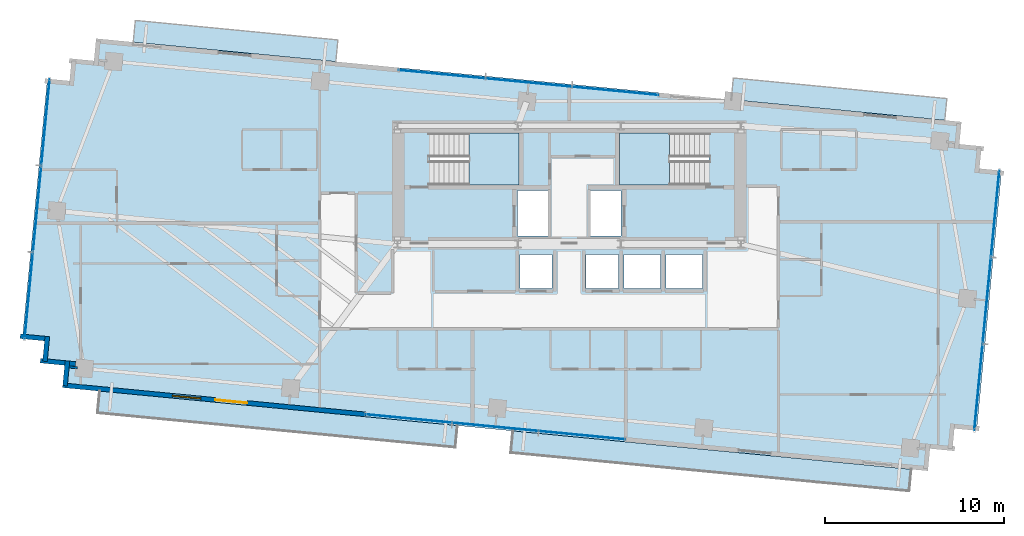
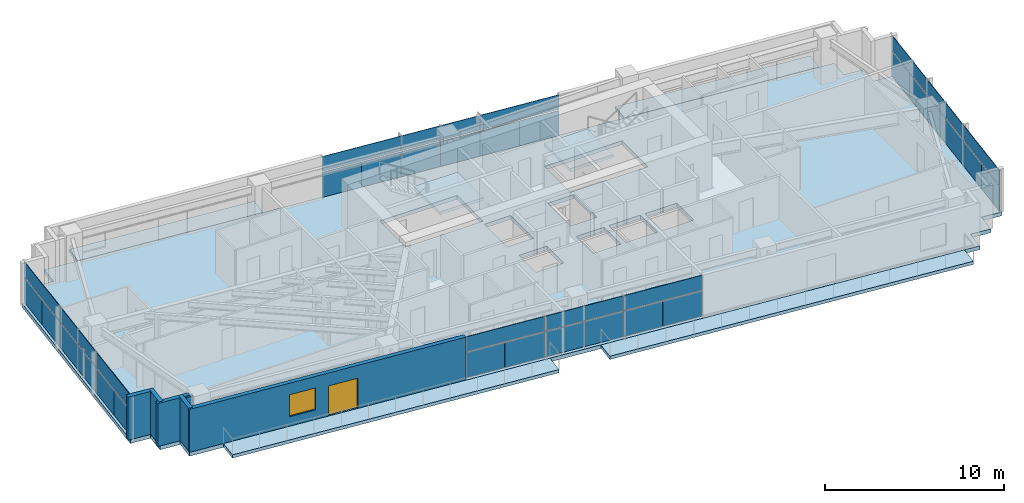
# One storey, part 14 of 20: 36 plates, 7 slabs, 6 walls, 1 door, 1 window, 2 openings, 6 elements without a shape of their own.
"""IFC4 building model written with IfcOpenShell, lengths in metres."""

from ifc_helpers import new_model, si_unit, direction, frame, frame_2d, origin, origin_2d, place, context, subcontext, project, spatial, polyline, rectangle, outline, extrude, source, transform, mapped, material, layer, layer_set, type_object, type_shapes, element, fill, aggregate, save


model = new_model("IFC4")

# Units and contexts
model_context = context("Model", 3, precision=1e-05, world=origin(), true_north=direction((0.0, 1.0)))
body_context = subcontext(model_context, "Body", "Model", "MODEL_VIEW")
ifc_project = project(units=[si_unit("LENGTHUNIT", "METRE"), si_unit("AREAUNIT", "SQUARE_METRE"), si_unit("VOLUMEUNIT", "CUBIC_METRE"), si_unit("PLANEANGLEUNIT", "RADIAN"), si_unit("MASSUNIT", "GRAM", prefix="KILO")], contexts=[model_context])

# Site, building, storey
site_placement = place(None, origin())
site = spatial("IfcSite", under=ifc_project, at=site_placement, CompositionType="ELEMENT")
building_placement = place(site_placement, origin())
building = spatial("IfcBuilding", under=site, at=building_placement, Name="Astriad Promenade Condominiums", CompositionType="ELEMENT")
storey_placement = place(building_placement, frame((0.0, 0.0, 156.60009765625)))
storey = spatial("IfcBuildingStorey", under=building, at=storey_placement, Name="L45", CompositionType="ELEMENT", Elevation=156.60009765625)

# Slab
ifc_material_1 = material(Name="Concrete C50/60", Category="concrete")
ifc_layer_1 = layer(ifc_material_1, 0.260009765625)
ifc_layer_set_1 = layer_set([ifc_layer_1], Name="Concrete C50/60")
slab_type_1 = type_object("IfcSlabType", Name="CONCRETE TOWER FLOOR SLAB 260", PredefinedType="FLOOR", material=ifc_layer_set_1)
slab_1_placement = place(storey_placement, frame((0.0, 0.0, -0.260009765625)))
element("IfcSlab", 1, at=slab_1_placement, inside=storey, type_object=slab_type_1, Name="Structural Floor Slab (L45)", PredefinedType="FLOOR", context=body_context, shape_type="SweptSolid", body=[
    extrude(outline(polyline([(7.672607421875, 9.374267578125), (56.048828125, 4.716064453125), (56.168701171875, 5.960205078125), (57.412841796875, 5.840576171875), (57.53271484375, 7.084716796875), (58.77685546875, 6.96484375), (60.17626953125, 21.497802734375), (58.931884765625, 21.617431640625), (59.052001953125, 22.86181640625), (57.8076171875, 22.981689453125), (57.927490234375, 24.225830078125), (9.55126953125, 28.8837890625), (9.431396484375, 27.6396484375), (8.18701171875, 27.759521484375), (8.0673828125, 26.515380859375), (6.822998046875, 26.635009765625), (5.423583984375, 12.102294921875), (6.66796875, 11.982421875), (6.548095703125, 10.73828125), (7.79248046875, 10.618408203125), (7.672607421875, 9.374267578125)]), holes=[polyline([(28.175048828125, 20.699951171875), (33.175048828125, 20.699951171875), (33.175048828125, 23.60009765625), (28.175048828125, 23.60009765625), (28.175048828125, 20.699951171875)]), polyline([(38.824951171875, 20.699951171875), (43.824951171875, 20.699951171875), (43.824951171875, 23.60009765625), (38.824951171875, 23.60009765625), (38.824951171875, 20.699951171875)]), polyline([(33.10009765625, 17.85009765625), (34.800048828125, 17.85009765625), (34.800048828125, 20.39990234375), (33.10009765625, 20.39990234375), (33.10009765625, 17.85009765625)]), polyline([(37.199951171875, 17.85009765625), (38.89990234375, 17.85009765625), (38.89990234375, 20.39990234375), (37.199951171875, 20.39990234375), (37.199951171875, 17.85009765625)]), polyline([(33.25, 14.89990234375), (35.050048828125, 14.89990234375), (35.050048828125, 16.800048828125), (33.25, 16.800048828125), (33.25, 14.89990234375)]), polyline([(36.949951171875, 14.89990234375), (38.75, 14.89990234375), (38.75, 16.800048828125), (36.949951171875, 16.800048828125), (36.949951171875, 14.89990234375)]), polyline([(39.050048828125, 14.89990234375), (41.10009765625, 14.89990234375), (41.10009765625, 16.800048828125), (39.050048828125, 16.800048828125), (39.050048828125, 14.89990234375)]), polyline([(41.39990234375, 14.89990234375), (43.449951171875, 14.89990234375), (43.449951171875, 16.800048828125), (41.39990234375, 16.800048828125), (41.39990234375, 14.89990234375)])]), origin(), (0.0, 0.0, 1.0), 0.260009765625),
])

# Stair, slab
stair_type = type_object("IfcStairType", Name="STR-CORE-1350", PredefinedType="HALF_TURN_STAIR", material=ifc_material_1)
stair_1_placement = place(storey_placement, origin())
stair_1 = element("IfcStair", 2, at=stair_1_placement, inside=storey, type_object=stair_type, Name="L45 Enclosed Core Exit Stair ST-1", PredefinedType="HALF_TURN_STAIR")
ifc_layer_2 = layer(ifc_material_1, 0.219970703125)
ifc_layer_set_2 = layer_set([ifc_layer_2], Name="Concrete C50/60")
slab_type_2 = type_object("IfcSlabType", Name="SLB-LANDING-220", PredefinedType="LANDING", material=ifc_layer_set_2)
slab_2_placement = place(storey_placement, frame((0.0, 0.0, 1.39990234375)))
slab_2 = element("IfcSlab", 3, at=slab_2_placement, type_object=slab_type_2, Name="ST-1 landing 1", PredefinedType="LANDING", context=body_context, shape_type="SweptSolid", body=[
    extrude(outline(polyline([(30.389892578125, 20.699951171875), (33.199951171875, 20.699951171875), (33.199951171875, 23.60009765625), (30.389892578125, 23.60009765625), (30.389892578125, 20.699951171875)])), origin(), (0.0, 0.0, 1.0), 0.199951171875),
])
aggregate(stair_1, [slab_2])

stair_2_placement = place(storey_placement, origin())
stair_2 = element("IfcStair", 4, at=stair_2_placement, inside=storey, type_object=stair_type, Name="L45 Enclosed Core Exit Stair ST-2", PredefinedType="HALF_TURN_STAIR")
slab_3_placement = place(storey_placement, frame((0.0, 0.0, 1.39990234375)))
slab_3 = element("IfcSlab", 5, at=slab_3_placement, type_object=slab_type_2, Name="ST-2 landing 1", PredefinedType="LANDING", context=body_context, shape_type="SweptSolid", body=[
    extrude(outline(polyline([(41.610107421875, 23.60009765625), (38.800048828125, 23.60009765625), (38.800048828125, 20.699951171875), (41.610107421875, 20.699951171875), (41.610107421875, 23.60009765625)])), origin(), (0.0, 0.0, 1.0), 0.199951171875),
])
aggregate(stair_2, [slab_3])

# Slabs
ifc_material_2 = material(Name="Precast concrete C50/60", Category="concrete")
ifc_layer_3 = layer(ifc_material_2, 0.219970703125)
ifc_layer_set_3 = layer_set([ifc_layer_3], Name="Precast concrete C50/60")
slab_type_3 = type_object("IfcSlabType", Name="WHITE PRECAST CONCRETE WAVE BALCONY SLAB 220", PredefinedType="FLOOR", material=ifc_layer_set_3)
slab_4_placement = place(storey_placement, frame((0.0, 0.0, -0.22021484375)))
element("IfcSlab", 6, at=slab_4_placement, inside=storey, type_object=slab_type_3, Name="White Precast Wave Balcony Slab BAL-L45-SW", PredefinedType="FLOOR", context=body_context, shape_type="SweptSolid", body=[
    extrude(outline(polyline([(9.629150390625, 7.960205078125), (29.62548828125, 6.03466796875), (29.742431640625, 7.2490234375), (9.74609375, 9.174560546875), (9.629150390625, 7.960205078125)])), origin(), (0.0, 0.0, 1.0), 0.22021484375),
])
slab_5_placement = place(storey_placement, frame((0.0, 0.0, -0.22021484375)))
element("IfcSlab", 7, at=slab_5_placement, inside=storey, type_object=slab_type_3, Name="White Precast Wave Balcony Slab BAL-L45-SE", PredefinedType="FLOOR", context=body_context, shape_type="SweptSolid", body=[
    extrude(outline(polyline([(54.997314453125, 3.591796875), (32.733154296875, 5.735595703125), (32.849853515625, 6.947998046875), (55.114013671875, 4.80419921875), (54.997314453125, 3.591796875)])), origin(), (0.0, 0.0, 1.0), 0.22021484375),
])
slab_6_placement = place(storey_placement, frame((0.0, 0.0, -0.22021484375)))
element("IfcSlab", 8, at=slab_6_placement, inside=storey, type_object=slab_type_3, Name="White Precast Wave Balcony Slab BAL-L45-NW", PredefinedType="FLOOR", context=body_context, shape_type="SweptSolid", body=[
    extrude(outline(polyline([(11.62451171875, 28.684326171875), (22.94921875, 27.593994140625), (23.066162109375, 28.80810546875), (11.741455078125, 29.898681640625), (11.62451171875, 28.684326171875)])), origin(), (0.0, 0.0, 1.0), 0.22021484375),
])
slab_7_placement = place(storey_placement, frame((0.0, 0.0, -0.22021484375)))
element("IfcSlab", 9, at=slab_7_placement, inside=storey, type_object=slab_type_3, Name="White Precast Wave Balcony Slab BAL-L45-NE", PredefinedType="FLOOR", context=body_context, shape_type="SweptSolid", body=[
    extrude(outline(polyline([(45.173828125, 26.679443359375), (57.109619140625, 25.5302734375), (56.992919921875, 24.31787109375), (45.05712890625, 25.467041015625), (45.173828125, 26.679443359375)])), origin(), (0.0, 0.0, 1.0), 0.22021484375),
])

# Curtain wall, plates
ifc_material_3 = material(Name="Anodised aluminium Black Dark Glass Unitised", Category="aluminium")
curtain_wall_type = type_object("IfcCurtainWallType", Name="CW-B34-DARK", PredefinedType="USERDEFINED", material=ifc_material_3)
curtain_wall_1_placement = place(storey_placement, origin())
curtain_wall_1 = element("IfcCurtainWall", 10, at=curtain_wall_1_placement, inside=storey, type_object=curtain_wall_type, Name="CW-L45-W", ObjectType="UNITISED_CURTAIN_WALL", PredefinedType="USERDEFINED")
ifc_material_4 = material(Name="Dark Tinted Low-E Laminated Glass", Category="glass")
ifc_layer_4 = layer(ifc_material_4, 0.035888671875)
ifc_layer_set_4 = layer_set([ifc_layer_4], Name="Dark Tinted Low-E Laminated Glass")
plate_type = type_object("IfcPlateType", Name="PNL-DARK-GLASS-36", PredefinedType="CURTAIN_PANEL", material=ifc_layer_set_4)
shared_shape_1 = source(origin(), body_context, "Body", "SweptSolid", [
    extrude(rectangle(XDim=2.42138671875, YDim=0.035888671875, at=origin_2d()), origin(), (0.0, 0.0, 1.0), 1.702880859375),
])
plate_1_placement = place(storey_placement, frame((5.669677734375, 13.30078125, 0.080078125), z_axis=(0.0, 0.0, 1.0), x_axis=(0.09584575252, 0.995396198367, 0.0)))
plate_1 = element("IfcPlate", 11, at=plate_1_placement, type_object=plate_type, Name="CW-L45-W-PNL-00-VL", PredefinedType="CURTAIN_PANEL", context=body_context, shape_type="MappedRepresentation", body=[
    mapped(shared_shape_1, transform((0.0, 0.0, 0.0), scale=1.0)),
])
plate_2_placement = place(storey_placement, frame((5.903076171875, 15.722900390625, 0.080078125), z_axis=(0.0, 0.0, 1.0), x_axis=(0.09584575252, 0.995396198367, 0.0)))
plate_2 = element("IfcPlate", 12, at=plate_2_placement, type_object=plate_type, Name="CW-L45-W-PNL-00-VR", PredefinedType="CURTAIN_PANEL", context=body_context, shape_type="MappedRepresentation", body=[
    mapped(shared_shape_1, transform((0.0, 0.0, 0.0), scale=1.0)),
])
plate_3_placement = place(storey_placement, frame((6.13623046875, 18.145263671875, 0.080078125), z_axis=(0.0, 0.0, 1.0), x_axis=(0.09584575252, 0.995396198367, 0.0)))
plate_3 = element("IfcPlate", 13, at=plate_3_placement, type_object=plate_type, Name="CW-L45-W-PNL-01-VL", PredefinedType="CURTAIN_PANEL", context=body_context, shape_type="MappedRepresentation", body=[
    mapped(shared_shape_1, transform((0.0, 0.0, 0.0), scale=1.0)),
])
plate_4_placement = place(storey_placement, frame((6.369384765625, 20.5673828125, 0.080078125), z_axis=(0.0, 0.0, 1.0), x_axis=(0.09584575252, 0.995396198367, 0.0)))
plate_4 = element("IfcPlate", 14, at=plate_4_placement, type_object=plate_type, Name="CW-L45-W-PNL-01-VR", PredefinedType="CURTAIN_PANEL", context=body_context, shape_type="MappedRepresentation", body=[
    mapped(shared_shape_1, transform((0.0, 0.0, 0.0), scale=1.0)),
])
plate_5_placement = place(storey_placement, frame((6.6025390625, 22.989501953125, 0.080078125), z_axis=(0.0, 0.0, 1.0), x_axis=(0.09584575252, 0.995396198367, 0.0)))
plate_5 = element("IfcPlate", 15, at=plate_5_placement, type_object=plate_type, Name="CW-L45-W-PNL-02-VL", PredefinedType="CURTAIN_PANEL", context=body_context, shape_type="MappedRepresentation", body=[
    mapped(shared_shape_1, transform((0.0, 0.0, 0.0), scale=1.0)),
])
plate_6_placement = place(storey_placement, frame((6.8359375, 25.41162109375, 0.080078125), z_axis=(0.0, 0.0, 1.0), x_axis=(0.09584575252, 0.995396198367, 0.0)))
plate_6 = element("IfcPlate", 16, at=plate_6_placement, type_object=plate_type, Name="CW-L45-W-PNL-02-VR", PredefinedType="CURTAIN_PANEL", context=body_context, shape_type="MappedRepresentation", body=[
    mapped(shared_shape_1, transform((0.0, 0.0, 0.0), scale=1.0)),
])

curtain_wall_2_placement = place(storey_placement, origin())
curtain_wall_2 = element("IfcCurtainWall", 17, at=curtain_wall_2_placement, inside=storey, type_object=curtain_wall_type, Name="CW-L45-E", ObjectType="UNITISED_CURTAIN_WALL", PredefinedType="USERDEFINED")
plate_7_placement = place(storey_placement, frame((59.930419921875, 20.299072265625, 0.080078125), z_axis=(0.0, 0.0, 1.0), x_axis=(-0.09584575252, -0.995396198367, 0.0)))
plate_7 = element("IfcPlate", 18, at=plate_7_placement, type_object=plate_type, Name="CW-L45-E-PNL-00-VL", PredefinedType="CURTAIN_PANEL", context=body_context, shape_type="MappedRepresentation", body=[
    mapped(shared_shape_1, transform((0.0, 0.0, 0.0), scale=1.0)),
])
plate_8_placement = place(storey_placement, frame((59.697021484375, 17.876953125, 0.080078125), z_axis=(0.0, 0.0, 1.0), x_axis=(-0.09584575252, -0.995396198367, 0.0)))
plate_8 = element("IfcPlate", 19, at=plate_8_placement, type_object=plate_type, Name="CW-L45-E-PNL-00-VR", PredefinedType="CURTAIN_PANEL", context=body_context, shape_type="MappedRepresentation", body=[
    mapped(shared_shape_1, transform((0.0, 0.0, 0.0), scale=1.0)),
])
plate_9_placement = place(storey_placement, frame((59.4638671875, 15.454833984375, 0.080078125), z_axis=(0.0, 0.0, 1.0), x_axis=(-0.09584575252, -0.995396198367, 0.0)))
plate_9 = element("IfcPlate", 20, at=plate_9_placement, type_object=plate_type, Name="CW-L45-E-PNL-01-VL", PredefinedType="CURTAIN_PANEL", context=body_context, shape_type="MappedRepresentation", body=[
    mapped(shared_shape_1, transform((0.0, 0.0, 0.0), scale=1.0)),
])
plate_10_placement = place(storey_placement, frame((59.230712890625, 13.03271484375, 0.080078125), z_axis=(0.0, 0.0, 1.0), x_axis=(-0.09584575252, -0.995396198367, 0.0)))
plate_10 = element("IfcPlate", 21, at=plate_10_placement, type_object=plate_type, Name="CW-L45-E-PNL-01-VR", PredefinedType="CURTAIN_PANEL", context=body_context, shape_type="MappedRepresentation", body=[
    mapped(shared_shape_1, transform((0.0, 0.0, 0.0), scale=1.0)),
])
plate_11_placement = place(storey_placement, frame((58.997314453125, 10.610595703125, 0.080078125), z_axis=(0.0, 0.0, 1.0), x_axis=(-0.09584575252, -0.995396198367, 0.0)))
plate_11 = element("IfcPlate", 22, at=plate_11_placement, type_object=plate_type, Name="CW-L45-E-PNL-02-VL", PredefinedType="CURTAIN_PANEL", context=body_context, shape_type="MappedRepresentation", body=[
    mapped(shared_shape_1, transform((0.0, 0.0, 0.0), scale=1.0)),
])
plate_12_placement = place(storey_placement, frame((58.76416015625, 8.1884765625, 0.080078125), z_axis=(0.0, 0.0, 1.0), x_axis=(-0.09584575252, -0.995396198367, 0.0)))
plate_12 = element("IfcPlate", 23, at=plate_12_placement, type_object=plate_type, Name="CW-L45-E-PNL-02-VR", PredefinedType="CURTAIN_PANEL", context=body_context, shape_type="MappedRepresentation", body=[
    mapped(shared_shape_1, transform((0.0, 0.0, 0.0), scale=1.0)),
])

# Plate
shared_shape_2 = source(origin(), body_context, "Body", "SweptSolid", [
    extrude(rectangle(XDim=4.854736328125, YDim=0.035888671875, at=origin_2d()), origin(), (0.0, 0.0, 1.0), 0.997314453125),
])
plate_13_placement = place(storey_placement, frame((5.786376953125, 14.511962890625, 1.86279296875), z_axis=(0.0, 0.0, 1.0), x_axis=(0.09584575252, 0.995396198367, 0.0)))
plate_13 = element("IfcPlate", 24, at=plate_13_placement, type_object=plate_type, Name="CW-L45-W-PNL-00-S", PredefinedType="CURTAIN_PANEL", context=body_context, shape_type="MappedRepresentation", body=[
    mapped(shared_shape_2, transform((0.0, 0.0, 0.0), scale=1.0)),
])

plate_14_placement = place(storey_placement, frame((6.252685546875, 19.356201171875, 1.86279296875), z_axis=(0.0, 0.0, 1.0), x_axis=(0.09584575252, 0.995396198367, 0.0)))
plate_14 = element("IfcPlate", 25, at=plate_14_placement, type_object=plate_type, Name="CW-L45-W-PNL-01-S", PredefinedType="CURTAIN_PANEL", context=body_context, shape_type="MappedRepresentation", body=[
    mapped(shared_shape_2, transform((0.0, 0.0, 0.0), scale=1.0)),
])

plate_15_placement = place(storey_placement, frame((6.71923828125, 24.200439453125, 1.86279296875), z_axis=(0.0, 0.0, 1.0), x_axis=(0.09584575252, 0.995396198367, 0.0)))
plate_15 = element("IfcPlate", 26, at=plate_15_placement, type_object=plate_type, Name="CW-L45-W-PNL-02-S", PredefinedType="CURTAIN_PANEL", context=body_context, shape_type="MappedRepresentation", body=[
    mapped(shared_shape_2, transform((0.0, 0.0, 0.0), scale=1.0)),
])

aggregate(curtain_wall_1, [plate_1, plate_2, plate_13, plate_3, plate_4, plate_14, plate_5, plate_6, plate_15])

plate_16_placement = place(storey_placement, frame((59.813720703125, 19.088134765625, 1.86279296875), z_axis=(0.0, 0.0, 1.0), x_axis=(-0.09584575252, -0.995396198367, 0.0)))
plate_16 = element("IfcPlate", 27, at=plate_16_placement, type_object=plate_type, Name="CW-L45-E-PNL-00-S", PredefinedType="CURTAIN_PANEL", context=body_context, shape_type="MappedRepresentation", body=[
    mapped(shared_shape_2, transform((0.0, 0.0, 0.0), scale=1.0)),
])

plate_17_placement = place(storey_placement, frame((59.34716796875, 14.243896484375, 1.86279296875), z_axis=(0.0, 0.0, 1.0), x_axis=(-0.09584575252, -0.995396198367, 0.0)))
plate_17 = element("IfcPlate", 28, at=plate_17_placement, type_object=plate_type, Name="CW-L45-E-PNL-01-S", PredefinedType="CURTAIN_PANEL", context=body_context, shape_type="MappedRepresentation", body=[
    mapped(shared_shape_2, transform((0.0, 0.0, 0.0), scale=1.0)),
])

plate_18_placement = place(storey_placement, frame((58.880615234375, 9.3994140625, 1.86279296875), z_axis=(0.0, 0.0, 1.0), x_axis=(-0.09584575252, -0.995396198367, 0.0)))
plate_18 = element("IfcPlate", 29, at=plate_18_placement, type_object=plate_type, Name="CW-L45-E-PNL-02-S", PredefinedType="CURTAIN_PANEL", context=body_context, shape_type="MappedRepresentation", body=[
    mapped(shared_shape_2, transform((0.0, 0.0, 0.0), scale=1.0)),
])

aggregate(curtain_wall_2, [plate_7, plate_8, plate_16, plate_9, plate_10, plate_17, plate_11, plate_12, plate_18])

# Curtain wall, plates
curtain_wall_3_placement = place(storey_placement, origin())
curtain_wall_3 = element("IfcCurtainWall", 30, at=curtain_wall_3_placement, inside=storey, type_object=curtain_wall_type, Name="CW-L45-N", ObjectType="UNITISED_CURTAIN_WALL", PredefinedType="USERDEFINED")
shared_shape_3 = source(origin(), body_context, "Body", "SweptSolid", [
    extrude(rectangle(XDim=2.41796875, YDim=0.035888671875, at=origin_2d()), origin(), (0.0, 0.0, 1.0), 1.702880859375),
])
plate_19_placement = place(storey_placement, frame((27.6796875, 27.0078125, 0.080078125), z_axis=(0.0, 0.0, 1.0), x_axis=(0.995396198367, -0.09584575252, 0.0)))
plate_19 = element("IfcPlate", 31, at=plate_19_placement, type_object=plate_type, Name="CW-L45-N-PNL-00-VL", PredefinedType="CURTAIN_PANEL", context=body_context, shape_type="MappedRepresentation", body=[
    mapped(shared_shape_3, transform((0.0, 0.0, 0.0), scale=1.0)),
])
plate_20_placement = place(storey_placement, frame((30.0986328125, 26.77490234375, 0.080078125), z_axis=(0.0, 0.0, 1.0), x_axis=(0.995396198367, -0.09584575252, 0.0)))
plate_20 = element("IfcPlate", 32, at=plate_20_placement, type_object=plate_type, Name="CW-L45-N-PNL-00-VR", PredefinedType="CURTAIN_PANEL", context=body_context, shape_type="MappedRepresentation", body=[
    mapped(shared_shape_3, transform((0.0, 0.0, 0.0), scale=1.0)),
])
plate_21_placement = place(storey_placement, frame((32.517333984375, 26.5419921875, 0.080078125), z_axis=(0.0, 0.0, 1.0), x_axis=(0.995396198367, -0.09584575252, 0.0)))
plate_21 = element("IfcPlate", 33, at=plate_21_placement, type_object=plate_type, Name="CW-L45-N-PNL-01-VL", PredefinedType="CURTAIN_PANEL", context=body_context, shape_type="MappedRepresentation", body=[
    mapped(shared_shape_3, transform((0.0, 0.0, 0.0), scale=1.0)),
])
plate_22_placement = place(storey_placement, frame((34.936279296875, 26.30908203125, 0.080078125), z_axis=(0.0, 0.0, 1.0), x_axis=(0.995396198367, -0.09584575252, 0.0)))
plate_22 = element("IfcPlate", 34, at=plate_22_placement, type_object=plate_type, Name="CW-L45-N-PNL-01-VR", PredefinedType="CURTAIN_PANEL", context=body_context, shape_type="MappedRepresentation", body=[
    mapped(shared_shape_3, transform((0.0, 0.0, 0.0), scale=1.0)),
])
plate_23_placement = place(storey_placement, frame((37.35498046875, 26.075927734375, 0.080078125), z_axis=(0.0, 0.0, 1.0), x_axis=(0.995396198367, -0.09584575252, 0.0)))
plate_23 = element("IfcPlate", 35, at=plate_23_placement, type_object=plate_type, Name="CW-L45-N-PNL-02-VL", PredefinedType="CURTAIN_PANEL", context=body_context, shape_type="MappedRepresentation", body=[
    mapped(shared_shape_3, transform((0.0, 0.0, 0.0), scale=1.0)),
])
plate_24_placement = place(storey_placement, frame((39.77392578125, 25.84326171875, 0.080078125), z_axis=(0.0, 0.0, 1.0), x_axis=(0.995396198367, -0.09584575252, 0.0)))
plate_24 = element("IfcPlate", 36, at=plate_24_placement, type_object=plate_type, Name="CW-L45-N-PNL-02-VR", PredefinedType="CURTAIN_PANEL", context=body_context, shape_type="MappedRepresentation", body=[
    mapped(shared_shape_3, transform((0.0, 0.0, 0.0), scale=1.0)),
])

curtain_wall_4_placement = place(storey_placement, origin())
curtain_wall_4 = element("IfcCurtainWall", 37, at=curtain_wall_4_placement, inside=storey, type_object=curtain_wall_type, Name="CW-L45-S", ObjectType="UNITISED_CURTAIN_WALL", PredefinedType="USERDEFINED")
plate_25_placement = place(storey_placement, frame((37.920166015625, 6.59228515625, 0.080078125), z_axis=(0.0, 0.0, 1.0), x_axis=(-0.995396198367, 0.09584575252, 0.0)))
plate_25 = element("IfcPlate", 38, at=plate_25_placement, type_object=plate_type, Name="CW-L45-S-PNL-00-VL", PredefinedType="CURTAIN_PANEL", context=body_context, shape_type="MappedRepresentation", body=[
    mapped(shared_shape_3, transform((0.0, 0.0, 0.0), scale=1.0)),
])
plate_26_placement = place(storey_placement, frame((35.50146484375, 6.8251953125, 0.080078125), z_axis=(0.0, 0.0, 1.0), x_axis=(-0.995396198367, 0.09584575252, 0.0)))
plate_26 = element("IfcPlate", 39, at=plate_26_placement, type_object=plate_type, Name="CW-L45-S-PNL-00-VR", PredefinedType="CURTAIN_PANEL", context=body_context, shape_type="MappedRepresentation", body=[
    mapped(shared_shape_3, transform((0.0, 0.0, 0.0), scale=1.0)),
])
plate_27_placement = place(storey_placement, frame((33.08251953125, 7.05810546875, 0.080078125), z_axis=(0.0, 0.0, 1.0), x_axis=(-0.995396198367, 0.09584575252, 0.0)))
plate_27 = element("IfcPlate", 40, at=plate_27_placement, type_object=plate_type, Name="CW-L45-S-PNL-01-VL", PredefinedType="CURTAIN_PANEL", context=body_context, shape_type="MappedRepresentation", body=[
    mapped(shared_shape_3, transform((0.0, 0.0, 0.0), scale=1.0)),
])
plate_28_placement = place(storey_placement, frame((30.663818359375, 7.291015625, 0.080078125), z_axis=(0.0, 0.0, 1.0), x_axis=(-0.995396198367, 0.09584575252, 0.0)))
plate_28 = element("IfcPlate", 41, at=plate_28_placement, type_object=plate_type, Name="CW-L45-S-PNL-01-VR", PredefinedType="CURTAIN_PANEL", context=body_context, shape_type="MappedRepresentation", body=[
    mapped(shared_shape_3, transform((0.0, 0.0, 0.0), scale=1.0)),
])
plate_29_placement = place(storey_placement, frame((28.244873046875, 7.52392578125, 0.080078125), z_axis=(0.0, 0.0, 1.0), x_axis=(-0.995396198367, 0.09584575252, 0.0)))
plate_29 = element("IfcPlate", 42, at=plate_29_placement, type_object=plate_type, Name="CW-L45-S-PNL-02-VL", PredefinedType="CURTAIN_PANEL", context=body_context, shape_type="MappedRepresentation", body=[
    mapped(shared_shape_3, transform((0.0, 0.0, 0.0), scale=1.0)),
])
plate_30_placement = place(storey_placement, frame((25.826171875, 7.7568359375, 0.080078125), z_axis=(0.0, 0.0, 1.0), x_axis=(-0.995396198367, 0.09584575252, 0.0)))
plate_30 = element("IfcPlate", 43, at=plate_30_placement, type_object=plate_type, Name="CW-L45-S-PNL-02-VR", PredefinedType="CURTAIN_PANEL", context=body_context, shape_type="MappedRepresentation", body=[
    mapped(shared_shape_3, transform((0.0, 0.0, 0.0), scale=1.0)),
])

# Plate
shared_shape_4 = source(origin(), body_context, "Body", "SweptSolid", [
    extrude(rectangle(XDim=4.847900390625, YDim=0.035888671875, at=origin_2d()), origin(), (0.0, 0.0, 1.0), 0.997314453125),
])
type_shapes(plate_type, [shared_shape_1, shared_shape_2, shared_shape_3, shared_shape_4])
plate_31_placement = place(storey_placement, frame((28.88916015625, 26.891357421875, 1.86279296875), z_axis=(0.0, 0.0, 1.0), x_axis=(0.995396198367, -0.09584575252, 0.0)))
plate_31 = element("IfcPlate", 44, at=plate_31_placement, type_object=plate_type, Name="CW-L45-N-PNL-00-S", PredefinedType="CURTAIN_PANEL", context=body_context, shape_type="MappedRepresentation", body=[
    mapped(shared_shape_4, transform((0.0, 0.0, 0.0), scale=1.0)),
])

plate_32_placement = place(storey_placement, frame((33.726806640625, 26.42529296875, 1.86279296875), z_axis=(0.0, 0.0, 1.0), x_axis=(0.995396198367, -0.09584575252, 0.0)))
plate_32 = element("IfcPlate", 45, at=plate_32_placement, type_object=plate_type, Name="CW-L45-N-PNL-01-S", PredefinedType="CURTAIN_PANEL", context=body_context, shape_type="MappedRepresentation", body=[
    mapped(shared_shape_4, transform((0.0, 0.0, 0.0), scale=1.0)),
])

plate_33_placement = place(storey_placement, frame((38.564453125, 25.959716796875, 1.86279296875), z_axis=(0.0, 0.0, 1.0), x_axis=(0.995396198367, -0.09584575252, 0.0)))
plate_33 = element("IfcPlate", 46, at=plate_33_placement, type_object=plate_type, Name="CW-L45-N-PNL-02-S", PredefinedType="CURTAIN_PANEL", context=body_context, shape_type="MappedRepresentation", body=[
    mapped(shared_shape_4, transform((0.0, 0.0, 0.0), scale=1.0)),
])

aggregate(curtain_wall_3, [plate_19, plate_20, plate_31, plate_21, plate_22, plate_32, plate_23, plate_24, plate_33])

plate_34_placement = place(storey_placement, frame((36.710693359375, 6.708740234375, 1.86279296875), z_axis=(0.0, 0.0, 1.0), x_axis=(-0.995396198367, 0.09584575252, 0.0)))
plate_34 = element("IfcPlate", 47, at=plate_34_placement, type_object=plate_type, Name="CW-L45-S-PNL-00-S", PredefinedType="CURTAIN_PANEL", context=body_context, shape_type="MappedRepresentation", body=[
    mapped(shared_shape_4, transform((0.0, 0.0, 0.0), scale=1.0)),
])

plate_35_placement = place(storey_placement, frame((31.873291015625, 7.174560546875, 1.86279296875), z_axis=(0.0, 0.0, 1.0), x_axis=(-0.995396198367, 0.09584575252, 0.0)))
plate_35 = element("IfcPlate", 48, at=plate_35_placement, type_object=plate_type, Name="CW-L45-S-PNL-01-S", PredefinedType="CURTAIN_PANEL", context=body_context, shape_type="MappedRepresentation", body=[
    mapped(shared_shape_4, transform((0.0, 0.0, 0.0), scale=1.0)),
])

plate_36_placement = place(storey_placement, frame((27.035400390625, 7.640380859375, 1.86279296875), z_axis=(0.0, 0.0, 1.0), x_axis=(-0.995396198367, 0.09584575252, 0.0)))
plate_36 = element("IfcPlate", 49, at=plate_36_placement, type_object=plate_type, Name="CW-L45-S-PNL-02-S", PredefinedType="CURTAIN_PANEL", context=body_context, shape_type="MappedRepresentation", body=[
    mapped(shared_shape_4, transform((0.0, 0.0, 0.0), scale=1.0)),
])

aggregate(curtain_wall_4, [plate_25, plate_26, plate_34, plate_27, plate_28, plate_35, plate_29, plate_30, plate_36])

# Walls
ifc_layer_5 = layer(ifc_material_2, 0.260009765625)
ifc_layer_set_5 = layer_set([ifc_layer_5], Name="Precast concrete C50/60")
wall_type_1 = type_object("IfcWallType", Name="WALL-EXT-TWR-260", PredefinedType="STANDARD", material=ifc_layer_set_5)
wall_1_placement = place(storey_placement, frame((8.400146484375, 10.6904296875, 0.0), z_axis=(0.0, 0.0, 1.0), x_axis=(-0.995391147587, 0.095898192396, 0.0)))
element("IfcWall", 50, at=wall_1_placement, inside=storey, type_object=wall_type_1, Name="W-SER-L45-00", PredefinedType="STANDARD", context=body_context, shape_type="SweptSolid", body=[
    extrude(rectangle(XDim=1.97802734375, YDim=0.260009765625, at=frame_2d((0.989013671875, 0.0))), origin(), (0.0, 0.0, 1.0), 2.93994140625),
])
wall_2_placement = place(storey_placement, frame((6.6884765625, 10.840087890625, 0.0), z_axis=(0.0, 0.0, 1.0), x_axis=(0.09589913835, 0.995391056452, 0.0)))
element("IfcWall", 51, at=wall_2_placement, inside=storey, type_object=wall_type_1, Name="W-SER-L45-01", PredefinedType="STANDARD", context=body_context, shape_type="SweptSolid", body=[
    extrude(rectangle(XDim=1.39501953125, YDim=0.260009765625, at=frame_2d((0.697509765625, 0.0))), origin(), (0.0, 0.0, 1.0), 2.93994140625),
])
wall_3_placement = place(storey_placement, frame((6.6953125, 12.110595703125, 0.0), z_axis=(0.0, 0.0, 1.0), x_axis=(-0.99540614245, 0.095742423056, 0.0)))
element("IfcWall", 52, at=wall_3_placement, inside=storey, type_object=wall_type_1, Name="W-SER-L45-02", PredefinedType="STANDARD", context=body_context, shape_type="SweptSolid", body=[
    extrude(rectangle(XDim=1.394775390625, YDim=0.260009765625, at=frame_2d((0.697265625, 0.0))), origin(), (0.0, 0.0, 1.0), 2.93994140625),
])

# Wall, openings, door, window
wall_4_placement = place(storey_placement, frame((24.61669921875, 7.873291015625, 0.0), z_axis=(0.0, 0.0, 1.0), x_axis=(-0.995395976631, 0.095848055311, 0.0)))
wall_4 = element("IfcWall", 53, at=wall_4_placement, inside=storey, type_object=wall_type_1, Name="W-EXT-L45-S2", PredefinedType="STANDARD", context=body_context, shape_type="SweptSolid", body=[
    extrude(rectangle(XDim=17.010009765625, YDim=0.260009765625, at=frame_2d((8.5048828125, 0.0))), origin(), (0.0, 0.0, 1.0), 2.93994140625),
])
opening_1_placement = place(wall_4_placement, frame((6.64990234375, 0.0, 0.0)))
opening_1 = element("IfcOpeningElement", 54, at=opening_1_placement, cuts=wall_4, Name="Opening BD-1822-SLD", PredefinedType="OPENING", context=body_context, shape_type="SweptSolid", body=[
    extrude(rectangle(XDim=1.800048828125, YDim=2.06005859375, at=frame_2d((0.89990234375, 1.030029296875))), frame((0.0, 0.139892578125, 0.0), z_axis=(0.0, -1.0, 0.0), x_axis=(1.0, 0.0, 0.0)), (0.0, 0.0, 1.0), 0.280029296875),
])
opening_2_placement = place(wall_4_placement, frame((9.25, 0.0, 0.64990234375)))
opening_2 = element("IfcOpeningElement", 55, at=opening_2_placement, cuts=wall_4, Name="Opening WIN-TWR-1620", PredefinedType="OPENING", context=body_context, shape_type="SweptSolid", body=[
    extrude(rectangle(XDim=1.60009765625, YDim=1.5, at=frame_2d((0.800048828125, 0.75))), frame((0.0, 0.139892578125, 0.0), z_axis=(0.0, -1.0, 0.0), x_axis=(1.0, 0.0, 0.0)), (0.0, 0.0, 1.0), 0.280029296875),
])
ifc_material_5 = material(Name="Thermally Broken Aluminium Sliding Balcony Door", Category="aluminium")
door_type = type_object("IfcDoorType", Name="BD-1822-SLD", OperationType="NOTDEFINED", PredefinedType="DOOR", material=ifc_material_5)
shared_shape_5 = source(origin(), body_context, "Body", "SweptSolid", [
    extrude(rectangle(XDim=1.800048828125, YDim=2.06005859375, at=frame_2d((0.89990234375, 1.030029296875))), frame((0.0, 0.02490234375, 0.0), z_axis=(0.0, -1.0, 0.0), x_axis=(1.0, 0.0, 0.0)), (0.0, 0.0, 1.0), 0.050048828125),
])
type_shapes(door_type, [shared_shape_5])
door_placement = place(opening_1_placement, origin())
door = element("IfcDoor", 56, at=door_placement, inside=storey, type_object=door_type, Name="BD-L45-SW", OperationType="SLIDING_TO_LEFT", OverallHeight=2.06005859375, OverallWidth=1.800048828125, PredefinedType="DOOR", context=body_context, shape_type="MappedRepresentation", body=[
    mapped(shared_shape_5, transform((0.0, 0.0, 0.0), scale=1.0)),
])
fill(opening_1, door)
ifc_material_6 = material(Name="Dark Tinted Triple-Glazed Aluminium Window", Category="aluminium")
window_type = type_object("IfcWindowType", Name="WIN-TWR-1620", PartitioningType="SINGLE_PANEL", PredefinedType="WINDOW", material=ifc_material_6)
shared_shape_6 = source(origin(), body_context, "Body", "SweptSolid", [
    extrude(rectangle(XDim=1.60009765625, YDim=1.5, at=frame_2d((0.800048828125, 0.75))), frame((0.0, 0.030029296875, 0.0), z_axis=(0.0, -1.0, 0.0), x_axis=(1.0, 0.0, 0.0)), (0.0, 0.0, 1.0), 0.06005859375),
])
type_shapes(window_type, [shared_shape_6])
window_placement = place(opening_2_placement, origin())
window = element("IfcWindow", 57, at=window_placement, inside=storey, type_object=window_type, Name="WIN-L45-SW", OverallHeight=1.5, OverallWidth=1.60009765625, PartitioningType="SINGLE_PANEL", PredefinedType="WINDOW", context=body_context, shape_type="MappedRepresentation", body=[
    mapped(shared_shape_6, transform((0.0, 0.0, 0.0), scale=1.0)),
])
fill(opening_2, window)

# Walls
wall_5_placement = place(storey_placement, frame((7.81298828125, 9.476318359375, 0.0), z_axis=(0.0, 0.0, 1.0), x_axis=(0.095915846097, 0.995389446633, 0.0)))
element("IfcWall", 58, at=wall_5_placement, inside=storey, type_object=wall_type_1, Name="W-SER-L45-19", PredefinedType="STANDARD", context=body_context, shape_type="SweptSolid", body=[
    extrude(rectangle(XDim=1.394775390625, YDim=0.260009765625, at=frame_2d((0.697265625, 0.0))), origin(), (0.0, 0.0, 1.0), 2.93994140625),
])
ifc_material_7 = material(Name="Acoustic Metal-Stud Gypsum Partition")
ifc_layer_6 = layer(ifc_material_7, 0.1201171875)
ifc_layer_set_6 = layer_set([ifc_layer_6], Name="Acoustic Metal-Stud Gypsum Partition")
wall_type_2 = type_object("IfcWallType", Name="WALL-PART-120", PredefinedType="PARTITIONING", material=ifc_layer_set_6)
wall_6_placement = place(storey_placement, frame((8.502197265625, 10.479736328125, 0.0), z_axis=(0.0, 0.0, 1.0), x_axis=(-0.995384576284, 0.09596637586, 0.0)))
element("IfcWall", 59, at=wall_6_placement, inside=storey, type_object=wall_type_2, Name="PT-PIL-L45-PC01-8", PredefinedType="PARTITIONING", context=body_context, shape_type="SweptSolid", body=[
    extrude(rectangle(XDim=0.4580078125, YDim=0.1201171875, at=frame_2d((0.22900390625, 0.0))), origin(), (0.0, 0.0, 1.0), 2.93994140625),
])

save(model, "model.ifc")
